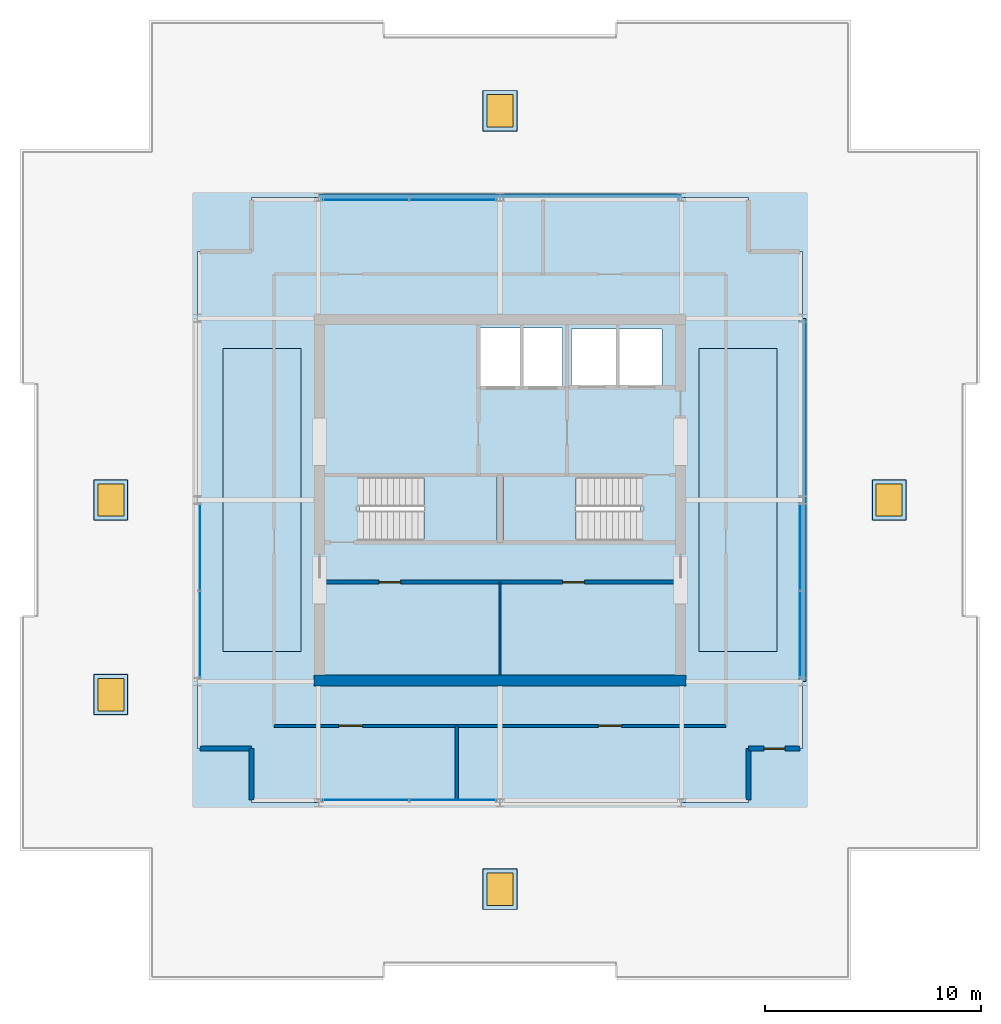
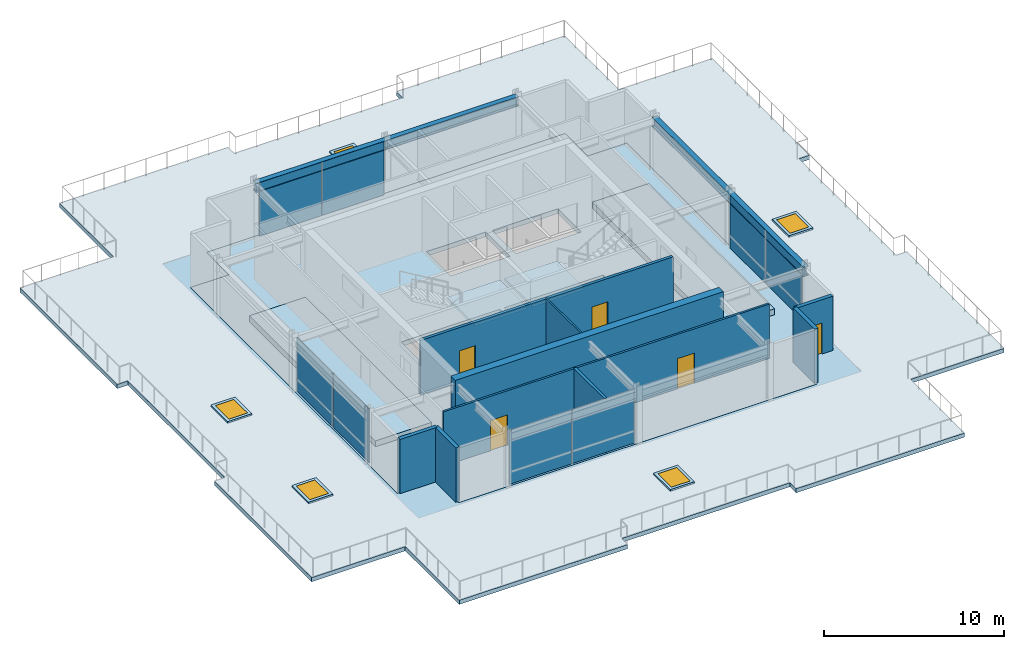
# One storey, part 12 of 17: 11 slabs, 10 doors, 9 walls, 8 plates, 2 beams, 10 openings, 6 elements without a shape of their own.
"""IFC4 building model written with IfcOpenShell, lengths in metres."""

from ifc_helpers import new_model, si_unit, direction, frame, frame_2d, origin, origin_2d, place, context, subcontext, project, spatial, polyline, rectangle, i_section, outline, extrude, material, layer, layer_set, material_profile, profile_set, type_object, element, fill, aggregate, save


model = new_model("IFC4")

# Units and contexts
model_context = context("Model", 3, precision=1e-05, world=origin(), true_north=direction((0.0, 1.0)))
body_context = subcontext(model_context, "Body", "Model", "MODEL_VIEW")
ifc_project = project(units=[si_unit("LENGTHUNIT", "METRE"), si_unit("AREAUNIT", "SQUARE_METRE"), si_unit("VOLUMEUNIT", "CUBIC_METRE"), si_unit("PLANEANGLEUNIT", "RADIAN"), si_unit("MASSUNIT", "GRAM", prefix="KILO")], contexts=[model_context])

# Site, building, storey
site_placement = place(None, origin())
site = spatial("IfcSite", under=ifc_project, at=site_placement, CompositionType="ELEMENT")
building_placement = place(site_placement, origin())
building = spatial("IfcBuilding", under=site, at=building_placement, Name="Drelvath Grand Hotel", CompositionType="ELEMENT")
storey_placement = place(building_placement, frame((0.0, 0.0, 311.39990234375)))
storey = spatial("IfcBuildingStorey", under=building, at=storey_placement, Name="L81", CompositionType="ELEMENT", Elevation=311.39990234375)

# Beams
ifc_material_1 = material(Name="Steel ASTM A992 Gr 50", Category="steel")
ifc_material_profile = material_profile(ifc_material_1, i_section(OverallWidth=0.323974609375, OverallDepth=0.611083984375, WebThickness=0.0126953125, FlangeThickness=0.01904296875, FilletRadius=0.02197265625, at=origin_2d()), Name="W24X104")
ifc_profile_set = profile_set([ifc_material_profile], Name="Steel ASTM A992 Gr 50")
beam_type = type_object("IfcBeamType", Name="Primary Floor Girder W24X104", PredefinedType="BEAM", material=ifc_profile_set)
for number, where, z_axis, x_axis, name in (
    (1, (14.0, 18.60009765625, 3.37451171875), (0.0, 1.0, 0.0), (-1.0, 0.0, 0.0), "L81 Crown Drum Ring Beam East"),
    (2, (-8.39990234375, 41.0, 3.37451171875), (1.0, 0.0, 0.0), (0.0, 1.0, 0.0), "L81 Crown Drum Ring Beam North"),
):
    element("IfcBeam", number, at=place(storey_placement, frame(where, z_axis=z_axis, x_axis=x_axis)), inside=storey, type_object=beam_type, Name=name, PredefinedType="BEAM", context=body_context, shape_type="SweptSolid", body=[
        extrude(i_section(OverallWidth=0.323974609375, OverallDepth=0.611083984375, WebThickness=0.0126953125, FlangeThickness=0.01904296875, FilletRadius=0.02197265625, at=origin_2d()), origin(), (0.0, 0.0, 1.0), 16.7998046875),
    ])

# Slab
ifc_material_2 = material(Name="Concrete f'c 40 MPa", Category="concrete")
ifc_layer_1 = layer(ifc_material_2, 0.320068359375)
ifc_layer_set_1 = layer_set([ifc_layer_1], Name="Concrete f'c 40 MPa")
slab_type_1 = type_object("IfcSlabType", Name="Composite RC Floor Slab 320", PredefinedType="FLOOR", material=ifc_layer_set_1)
slab_1_placement = place(storey_placement, frame((0.0, 0.0, -0.31982421875)))
element("IfcSlab", 3, at=slab_1_placement, inside=storey, type_object=slab_type_1, Name="L81 Structural Floor Slab", PredefinedType="FLOOR", context=body_context, shape_type="SweptSolid", body=[
    extrude(outline(polyline([(-11.5, 13.0), (11.5, 13.0), (11.5, 15.5), (14.0, 15.5), (14.0, 38.5), (11.5, 38.5), (11.5, 41.0), (-11.5, 41.0), (-11.5, 38.5), (-14.0, 38.5), (-14.0, 15.5), (-11.5, 15.5), (-11.5, 13.0)]), holes=[polyline([(-6.47998046875, 25.1201171875), (-6.47998046875, 28.080078125), (-0.14990234375, 28.080078125), (-0.14990234375, 25.1201171875), (-6.47998046875, 25.1201171875)]), polyline([(0.14990234375, 25.1201171875), (0.14990234375, 28.080078125), (6.47998046875, 28.080078125), (6.47998046875, 25.1201171875), (0.14990234375, 25.1201171875)]), polyline([(-0.89990234375, 32.25), (-0.89990234375, 34.949951171875), (2.89990234375, 34.949951171875), (2.89990234375, 32.25), (-0.89990234375, 32.25)]), polyline([(3.300048828125, 32.300048828125), (3.300048828125, 34.89990234375), (7.5, 34.89990234375), (7.5, 32.300048828125), (3.300048828125, 32.300048828125)])]), origin(), (0.0, 0.0, 1.0), 0.31982421875),
])

# Stair, slab
ifc_material_3 = material(Name="Concrete C40/50", Category="concrete")
stair_type = type_object("IfcStairType", Name="Dogleg Exit Stair W1400-R166.7", PredefinedType="HALF_TURN_STAIR", material=ifc_material_3)
stair_1_placement = place(storey_placement, origin())
stair_1 = element("IfcStair", 4, at=stair_1_placement, inside=storey, type_object=stair_type, Name="L81 Core Exit Stair ST-1", PredefinedType="HALF_TURN_STAIR")
ifc_layer_2 = layer(ifc_material_3, 0.199951171875)
ifc_layer_set_2 = layer_set([ifc_layer_2], Name="Concrete C40/50")
slab_type_2 = type_object("IfcSlabType", Name="Concrete Stair Landing Slab 200", PredefinedType="LANDING", material=ifc_layer_set_2)
slab_2_placement = place(storey_placement, frame((0.0, 0.0, 1.800048828125)))
slab_2 = element("IfcSlab", 5, at=slab_2_placement, type_object=slab_type_2, Name="ST-1 landing 1", PredefinedType="LANDING", context=body_context, shape_type="SweptSolid", body=[
    extrude(outline(polyline([(-3.52001953125, 25.1201171875), (-0.14990234375, 25.1201171875), (-0.14990234375, 28.080078125), (-3.52001953125, 28.080078125), (-3.52001953125, 25.1201171875)])), origin(), (0.0, 0.0, 1.0), 0.199951171875),
])
aggregate(stair_1, [slab_2])

stair_2_placement = place(storey_placement, origin())
stair_2 = element("IfcStair", 6, at=stair_2_placement, inside=storey, type_object=stair_type, Name="L81 Core Exit Stair ST-2", PredefinedType="HALF_TURN_STAIR")
slab_3_placement = place(storey_placement, frame((0.0, 0.0, 1.800048828125)))
slab_3 = element("IfcSlab", 7, at=slab_3_placement, type_object=slab_type_2, Name="ST-2 landing 1", PredefinedType="LANDING", context=body_context, shape_type="SweptSolid", body=[
    extrude(outline(polyline([(3.52001953125, 28.080078125), (0.14990234375, 28.080078125), (0.14990234375, 25.1201171875), (3.52001953125, 25.1201171875), (3.52001953125, 28.080078125)])), origin(), (0.0, 0.0, 1.0), 0.199951171875),
])
aggregate(stair_2, [slab_3])

# Slabs
ifc_layer_3 = layer(ifc_material_2, 0.39990234375)
ifc_layer_set_3 = layer_set([ifc_layer_3], Name="Concrete f'c 40 MPa")
slab_type_3 = type_object("IfcSlabType", Name="Crown Mechanical Equipment Plinth 400", PredefinedType="FLOOR", material=ifc_layer_set_3)
slab_4_placement = place(storey_placement, origin())
element("IfcSlab", 8, at=slab_4_placement, inside=storey, type_object=slab_type_3, Name="L81 Crown Chiller and Transmitter Plant Plinth 1", PredefinedType="FLOOR", context=body_context, shape_type="SweptSolid", body=[
    extrude(outline(polyline([(-12.800048828125, 20.0), (-9.199951171875, 20.0), (-9.199951171875, 34.0), (-12.800048828125, 34.0), (-12.800048828125, 20.0)])), origin(), (0.0, 0.0, 1.0), 0.400146484375),
])
slab_5_placement = place(storey_placement, origin())
element("IfcSlab", 9, at=slab_5_placement, inside=storey, type_object=slab_type_3, Name="L81 Crown Chiller and Transmitter Plant Plinth 2", PredefinedType="FLOOR", context=body_context, shape_type="SweptSolid", body=[
    extrude(outline(polyline([(9.199951171875, 20.0), (12.800048828125, 20.0), (12.800048828125, 34.0), (9.199951171875, 34.0), (9.199951171875, 20.0)])), origin(), (0.0, 0.0, 1.0), 0.400146484375),
])

# Curtain wall, plates
ifc_material_4 = material(Name="Pale-Metal Anodised Aluminium Crown Frame", Category="aluminium")
ifc_layer_4 = layer(ifc_material_4, 0.199951171875)
ifc_layer_set_4 = layer_set([ifc_layer_4], Name="Pale-Metal Anodised Aluminium Crown Frame")
curtain_wall_type = type_object("IfcCurtainWallType", Name="Stick Curtain Wall CW-06 Pale-Metal Crown Clerestory", PredefinedType="NOTDEFINED", material=ifc_layer_set_4)
curtain_wall_1_placement = place(storey_placement, origin())
curtain_wall_1 = element("IfcCurtainWall", 10, at=curtain_wall_1_placement, inside=storey, type_object=curtain_wall_type, Name="L81 CW-06 Curtain Wall CW06-L81-W", PredefinedType="NOTDEFINED")
ifc_material_5 = material(Name="Insulated Spandrel Laminated Crown Glass", Category="glass")
ifc_layer_5 = layer(ifc_material_5, 0.035888671875)
ifc_layer_set_5 = layer_set([ifc_layer_5], Name="Insulated Spandrel Laminated Crown Glass")
plate_type = type_object("IfcPlateType", Name="Curtain Wall Vision Panel CW-06 36mm", PredefinedType="CURTAIN_PANEL", material=ifc_layer_set_5)
plate_1_placement = place(storey_placement, frame((-13.8798828125, 20.791015625, 0.02001953125), z_axis=(0.0, 0.0, 1.0), x_axis=(0.0, 1.0, 0.0)))
plate_1 = element("IfcPlate", 11, at=plate_1_placement, type_object=plate_type, Name="CW06-L81-W Glazed Panel 1", PredefinedType="CURTAIN_PANEL", context=body_context, shape_type="SweptSolid", body=[
    extrude(rectangle(XDim=3.977783203125, YDim=0.035888671875, at=origin_2d()), origin(), (0.0, 0.0, 1.0), 3.639892578125),
])
plate_2_placement = place(storey_placement, frame((-13.8798828125, 24.808837890625, 0.02001953125), z_axis=(0.0, 0.0, 1.0), x_axis=(0.0, 1.0, 0.0)))
plate_2 = element("IfcPlate", 12, at=plate_2_placement, type_object=plate_type, Name="CW06-L81-W Glazed Panel 2", PredefinedType="CURTAIN_PANEL", context=body_context, shape_type="SweptSolid", body=[
    extrude(rectangle(XDim=3.977783203125, YDim=0.035888671875, at=origin_2d()), origin(), (0.0, 0.0, 1.0), 3.639892578125),
])
aggregate(curtain_wall_1, [plate_1, plate_2])

curtain_wall_2_placement = place(storey_placement, origin())
curtain_wall_2 = element("IfcCurtainWall", 13, at=curtain_wall_2_placement, inside=storey, type_object=curtain_wall_type, Name="L81 CW-06 Curtain Wall CW06-L81-E", PredefinedType="NOTDEFINED")
plate_3_placement = place(storey_placement, frame((13.8798828125, 24.808837890625, 0.02001953125), z_axis=(0.0, 0.0, 1.0), x_axis=(0.0, -1.0, 0.0)))
plate_3 = element("IfcPlate", 14, at=plate_3_placement, type_object=plate_type, Name="CW06-L81-E Glazed Panel 1", PredefinedType="CURTAIN_PANEL", context=body_context, shape_type="SweptSolid", body=[
    extrude(rectangle(XDim=3.977783203125, YDim=0.035888671875, at=origin_2d()), origin(), (0.0, 0.0, 1.0), 3.639892578125),
])
plate_4_placement = place(storey_placement, frame((13.8798828125, 20.791015625, 0.02001953125), z_axis=(0.0, 0.0, 1.0), x_axis=(0.0, -1.0, 0.0)))
plate_4 = element("IfcPlate", 15, at=plate_4_placement, type_object=plate_type, Name="CW06-L81-E Glazed Panel 2", PredefinedType="CURTAIN_PANEL", context=body_context, shape_type="SweptSolid", body=[
    extrude(rectangle(XDim=3.977783203125, YDim=0.035888671875, at=origin_2d()), origin(), (0.0, 0.0, 1.0), 3.639892578125),
])
aggregate(curtain_wall_2, [plate_3, plate_4])

curtain_wall_3_placement = place(storey_placement, origin())
curtain_wall_3 = element("IfcCurtainWall", 16, at=curtain_wall_3_placement, inside=storey, type_object=curtain_wall_type, Name="L81 CW-06 Curtain Wall CW06-L81-N", PredefinedType="NOTDEFINED")
plate_5_placement = place(storey_placement, frame((-6.20849609375, 40.8798828125, 0.02001953125), z_axis=(0.0, 0.0, 1.0), x_axis=(1.0, 0.0, 0.0)))
plate_5 = element("IfcPlate", 17, at=plate_5_placement, type_object=plate_type, Name="CW06-L81-N Glazed Panel 1", PredefinedType="CURTAIN_PANEL", context=body_context, shape_type="SweptSolid", body=[
    extrude(rectangle(XDim=3.97705078125, YDim=0.035888671875, at=origin_2d()), origin(), (0.0, 0.0, 1.0), 3.639892578125),
])
plate_6_placement = place(storey_placement, frame((-2.19140625, 40.8798828125, 0.02001953125), z_axis=(0.0, 0.0, 1.0), x_axis=(1.0, 0.0, 0.0)))
plate_6 = element("IfcPlate", 18, at=plate_6_placement, type_object=plate_type, Name="CW06-L81-N Glazed Panel 2", PredefinedType="CURTAIN_PANEL", context=body_context, shape_type="SweptSolid", body=[
    extrude(rectangle(XDim=3.97705078125, YDim=0.035888671875, at=origin_2d()), origin(), (0.0, 0.0, 1.0), 3.639892578125),
])
aggregate(curtain_wall_3, [plate_5, plate_6])

curtain_wall_4_placement = place(storey_placement, origin())
curtain_wall_4 = element("IfcCurtainWall", 19, at=curtain_wall_4_placement, inside=storey, type_object=curtain_wall_type, Name="L81 CW-06 Curtain Wall CW06-L81-S", PredefinedType="NOTDEFINED")
plate_7_placement = place(storey_placement, frame((-2.19140625, 13.1201171875, 0.02001953125), z_axis=(0.0, 0.0, 1.0), x_axis=(-1.0, 0.0, 0.0)))
plate_7 = element("IfcPlate", 20, at=plate_7_placement, type_object=plate_type, Name="CW06-L81-S Glazed Panel 1", PredefinedType="CURTAIN_PANEL", context=body_context, shape_type="SweptSolid", body=[
    extrude(rectangle(XDim=3.97705078125, YDim=0.035888671875, at=origin_2d()), origin(), (0.0, 0.0, 1.0), 3.639892578125),
])
plate_8_placement = place(storey_placement, frame((-6.20849609375, 13.1201171875, 0.02001953125), z_axis=(0.0, 0.0, 1.0), x_axis=(-1.0, 0.0, 0.0)))
plate_8 = element("IfcPlate", 21, at=plate_8_placement, type_object=plate_type, Name="CW06-L81-S Glazed Panel 2", PredefinedType="CURTAIN_PANEL", context=body_context, shape_type="SweptSolid", body=[
    extrude(rectangle(XDim=3.97705078125, YDim=0.035888671875, at=origin_2d()), origin(), (0.0, 0.0, 1.0), 3.639892578125),
])
aggregate(curtain_wall_4, [plate_7, plate_8])

# Slab
ifc_layer_6 = layer(ifc_material_2, 0.280029296875)
ifc_layer_set_6 = layer_set([ifc_layer_6], Name="Concrete f'c 40 MPa")
slab_type_4 = type_object("IfcSlabType", Name="Setback Flat Roof Slab 280", PredefinedType="ROOF", material=ifc_layer_set_6)
slab_6_placement = place(storey_placement, frame((0.0, 0.0, -0.27978515625)))
element("IfcSlab", 22, at=slab_6_placement, inside=storey, type_object=slab_type_4, Name="L81 Crown Setback Flat Roof Slab", PredefinedType="ROOF", context=body_context, shape_type="SweptSolid", body=[
    extrude(outline(polyline([(-16.199951171875, 4.800048828125), (-5.39990234375, 4.800048828125), (-5.39990234375, 5.47998046875), (5.39990234375, 5.47998046875), (5.39990234375, 4.800048828125), (16.199951171875, 4.800048828125), (16.199951171875, 10.800048828125), (22.199951171875, 10.800048828125), (22.199951171875, 21.60009765625), (21.52001953125, 21.60009765625), (21.52001953125, 32.39990234375), (22.199951171875, 32.39990234375), (22.199951171875, 43.199951171875), (16.199951171875, 43.199951171875), (16.199951171875, 49.199951171875), (5.39990234375, 49.199951171875), (5.39990234375, 48.52001953125), (-5.39990234375, 48.52001953125), (-5.39990234375, 49.199951171875), (-16.199951171875, 49.199951171875), (-16.199951171875, 43.199951171875), (-22.199951171875, 43.199951171875), (-22.199951171875, 32.39990234375), (-21.52001953125, 32.39990234375), (-21.52001953125, 21.60009765625), (-22.199951171875, 21.60009765625), (-22.199951171875, 10.800048828125), (-16.199951171875, 10.800048828125), (-16.199951171875, 4.800048828125)]), holes=[polyline([(-11.5, 15.5), (-14.0, 15.5), (-14.0, 38.5), (-11.5, 38.5), (-11.5, 41.0), (11.5, 41.0), (11.5, 38.5), (14.0, 38.5), (14.0, 15.5), (11.5, 15.5), (11.5, 13.0), (-11.5, 13.0), (-11.5, 15.5)]), polyline([(-18.60009765625, 26.25), (-18.60009765625, 27.75), (-17.39990234375, 27.75), (-17.39990234375, 26.25), (-18.60009765625, 26.25)]), polyline([(17.39990234375, 26.25), (17.39990234375, 27.75), (18.60009765625, 27.75), (18.60009765625, 26.25), (17.39990234375, 26.25)]), polyline([(-0.60009765625, 8.25), (-0.60009765625, 9.75), (0.60009765625, 9.75), (0.60009765625, 8.25), (-0.60009765625, 8.25)]), polyline([(-0.60009765625, 44.25), (-0.60009765625, 45.75), (0.60009765625, 45.75), (0.60009765625, 44.25), (-0.60009765625, 44.25)]), polyline([(-18.60009765625, 17.25), (-18.60009765625, 18.75), (-17.39990234375, 18.75), (-17.39990234375, 17.25), (-18.60009765625, 17.25)])]), origin(), (0.0, 0.0, 1.0), 0.27978515625),
])

# Slab, opening, door
slab_7_placement = place(storey_placement, origin())
slab_7 = element("IfcSlab", 23, at=slab_7_placement, inside=storey, type_object=slab_type_4, Name="L81 Roof Hatch Curb Slab HATCH-L81-01", PredefinedType="ROOF", context=body_context, shape_type="SweptSolid", body=[
    extrude(outline(polyline([(-18.780029296875, 26.070068359375), (-17.219970703125, 26.070068359375), (-17.219970703125, 27.929931640625), (-18.780029296875, 27.929931640625), (-18.780029296875, 26.070068359375)])), origin(), (0.0, 0.0, 1.0), 0.1201171875),
])
opening_1_placement = place(slab_7_placement, frame((-18.0, 27.0, 0.0)))
opening_1 = element("IfcOpeningElement", 24, at=opening_1_placement, cuts=slab_7, Name="Opening RH-1200", PredefinedType="OPENING", context=body_context, shape_type="SweptSolid", body=[
    extrude(rectangle(XDim=1.199951171875, YDim=1.5, at=origin_2d()), origin(), (0.0, 0.0, 1.0), 0.1201171875),
])
ifc_material_6 = material(Name="Anodised Aluminium Insulated Roof Hatch", Category="aluminium")
door_type_1 = type_object("IfcDoorType", Name="Insulated Roof Maintenance Access Hatch 1200x1500", OperationType="SINGLE_SWING_LEFT", PredefinedType="TRAPDOOR", material=ifc_material_6)
door_1_placement = place(opening_1_placement, frame((0.0, 0.0, 0.070068359375)))
door_1 = element("IfcDoor", 25, at=door_1_placement, inside=storey, type_object=door_type_1, Name="L81 Crown Setback Roof Maintenance Hatch HATCH-L81-01", OperationType="SINGLE_SWING_LEFT", OverallHeight=1.5, OverallWidth=1.199951171875, PredefinedType="TRAPDOOR", context=body_context, shape_type="SweptSolid", body=[
    extrude(rectangle(XDim=1.199951171875, YDim=1.5, at=origin_2d()), origin(), (0.0, 0.0, 1.0), 0.050048828125),
])
fill(opening_1, door_1)

slab_8_placement = place(storey_placement, origin())
slab_8 = element("IfcSlab", 26, at=slab_8_placement, inside=storey, type_object=slab_type_4, Name="L81 Roof Hatch Curb Slab HATCH-L81-02", PredefinedType="ROOF", context=body_context, shape_type="SweptSolid", body=[
    extrude(outline(polyline([(17.219970703125, 26.070068359375), (18.780029296875, 26.070068359375), (18.780029296875, 27.929931640625), (17.219970703125, 27.929931640625), (17.219970703125, 26.070068359375)])), origin(), (0.0, 0.0, 1.0), 0.1201171875),
])
opening_2_placement = place(slab_8_placement, frame((18.0, 27.0, 0.0)))
opening_2 = element("IfcOpeningElement", 27, at=opening_2_placement, cuts=slab_8, Name="Opening RH-1200", PredefinedType="OPENING", context=body_context, shape_type="SweptSolid", body=[
    extrude(rectangle(XDim=1.199951171875, YDim=1.5, at=origin_2d()), origin(), (0.0, 0.0, 1.0), 0.1201171875),
])
door_2_placement = place(opening_2_placement, frame((0.0, 0.0, 0.070068359375)))
door_2 = element("IfcDoor", 28, at=door_2_placement, inside=storey, type_object=door_type_1, Name="L81 Crown Setback Roof Maintenance Hatch HATCH-L81-02", OperationType="SINGLE_SWING_LEFT", OverallHeight=1.5, OverallWidth=1.199951171875, PredefinedType="TRAPDOOR", context=body_context, shape_type="SweptSolid", body=[
    extrude(rectangle(XDim=1.199951171875, YDim=1.5, at=origin_2d()), origin(), (0.0, 0.0, 1.0), 0.050048828125),
])
fill(opening_2, door_2)

slab_9_placement = place(storey_placement, origin())
slab_9 = element("IfcSlab", 29, at=slab_9_placement, inside=storey, type_object=slab_type_4, Name="L81 Roof Hatch Curb Slab HATCH-L81-03", PredefinedType="ROOF", context=body_context, shape_type="SweptSolid", body=[
    extrude(outline(polyline([(-0.780029296875, 8.070068359375), (0.780029296875, 8.070068359375), (0.780029296875, 9.929931640625), (-0.780029296875, 9.929931640625), (-0.780029296875, 8.070068359375)])), origin(), (0.0, 0.0, 1.0), 0.1201171875),
])
opening_3_placement = place(slab_9_placement, frame((0.0, 9.0, 0.0)))
opening_3 = element("IfcOpeningElement", 30, at=opening_3_placement, cuts=slab_9, Name="Opening RH-1200", PredefinedType="OPENING", context=body_context, shape_type="SweptSolid", body=[
    extrude(rectangle(XDim=1.199951171875, YDim=1.5, at=origin_2d()), origin(), (0.0, 0.0, 1.0), 0.1201171875),
])
door_3_placement = place(opening_3_placement, frame((0.0, 0.0, 0.070068359375)))
door_3 = element("IfcDoor", 31, at=door_3_placement, inside=storey, type_object=door_type_1, Name="L81 Crown Setback Roof Maintenance Hatch HATCH-L81-03", OperationType="SINGLE_SWING_LEFT", OverallHeight=1.5, OverallWidth=1.199951171875, PredefinedType="TRAPDOOR", context=body_context, shape_type="SweptSolid", body=[
    extrude(rectangle(XDim=1.199951171875, YDim=1.5, at=origin_2d()), origin(), (0.0, 0.0, 1.0), 0.050048828125),
])
fill(opening_3, door_3)

slab_10_placement = place(storey_placement, origin())
slab_10 = element("IfcSlab", 32, at=slab_10_placement, inside=storey, type_object=slab_type_4, Name="L81 Roof Hatch Curb Slab HATCH-L81-04", PredefinedType="ROOF", context=body_context, shape_type="SweptSolid", body=[
    extrude(outline(polyline([(-0.780029296875, 44.070068359375), (0.780029296875, 44.070068359375), (0.780029296875, 45.929931640625), (-0.780029296875, 45.929931640625), (-0.780029296875, 44.070068359375)])), origin(), (0.0, 0.0, 1.0), 0.1201171875),
])
opening_4_placement = place(slab_10_placement, frame((0.0, 45.0, 0.0)))
opening_4 = element("IfcOpeningElement", 33, at=opening_4_placement, cuts=slab_10, Name="Opening RH-1200", PredefinedType="OPENING", context=body_context, shape_type="SweptSolid", body=[
    extrude(rectangle(XDim=1.199951171875, YDim=1.5, at=origin_2d()), origin(), (0.0, 0.0, 1.0), 0.1201171875),
])
door_4_placement = place(opening_4_placement, frame((0.0, 0.0, 0.070068359375)))
door_4 = element("IfcDoor", 34, at=door_4_placement, inside=storey, type_object=door_type_1, Name="L81 Crown Setback Roof Maintenance Hatch HATCH-L81-04", OperationType="SINGLE_SWING_LEFT", OverallHeight=1.5, OverallWidth=1.199951171875, PredefinedType="TRAPDOOR", context=body_context, shape_type="SweptSolid", body=[
    extrude(rectangle(XDim=1.199951171875, YDim=1.5, at=origin_2d()), origin(), (0.0, 0.0, 1.0), 0.050048828125),
])
fill(opening_4, door_4)

slab_11_placement = place(storey_placement, origin())
slab_11 = element("IfcSlab", 35, at=slab_11_placement, inside=storey, type_object=slab_type_4, Name="L81 Roof Hatch Curb Slab HATCH-L81-05", PredefinedType="ROOF", context=body_context, shape_type="SweptSolid", body=[
    extrude(outline(polyline([(-18.780029296875, 17.070068359375), (-17.219970703125, 17.070068359375), (-17.219970703125, 18.929931640625), (-18.780029296875, 18.929931640625), (-18.780029296875, 17.070068359375)])), origin(), (0.0, 0.0, 1.0), 0.1201171875),
])
opening_5_placement = place(slab_11_placement, frame((-18.0, 18.0, 0.0)))
opening_5 = element("IfcOpeningElement", 36, at=opening_5_placement, cuts=slab_11, Name="Opening RH-1200", PredefinedType="OPENING", context=body_context, shape_type="SweptSolid", body=[
    extrude(rectangle(XDim=1.199951171875, YDim=1.5, at=origin_2d()), origin(), (0.0, 0.0, 1.0), 0.1201171875),
])
door_5_placement = place(opening_5_placement, frame((0.0, 0.0, 0.070068359375)))
door_5 = element("IfcDoor", 37, at=door_5_placement, inside=storey, type_object=door_type_1, Name="L81 Crown Setback Roof Maintenance Hatch HATCH-L81-05", OperationType="SINGLE_SWING_LEFT", OverallHeight=1.5, OverallWidth=1.199951171875, PredefinedType="TRAPDOOR", context=body_context, shape_type="SweptSolid", body=[
    extrude(rectangle(XDim=1.199951171875, YDim=1.5, at=origin_2d()), origin(), (0.0, 0.0, 1.0), 0.050048828125),
])
fill(opening_5, door_5)

# Wall
ifc_material_7 = material(Name="Gypsum Partition Board")
ifc_layer_7 = layer(ifc_material_7, 0.10009765625)
ifc_layer_set_7 = layer_set([ifc_layer_7], Name="Gypsum Partition Board")
wall_type_1 = type_object("IfcWallType", Name="Core Closet Partition 100", PredefinedType="PARTITIONING", material=ifc_layer_set_7)
wall_1_placement = place(storey_placement, frame((0.0, 18.89990234375, 0.0), z_axis=(0.0, 0.0, 1.0), x_axis=(0.0, 1.0, 0.0)))
element("IfcWall", 38, at=wall_1_placement, inside=storey, type_object=wall_type_1, Name="L81 Crown Core Split", PredefinedType="PARTITIONING", context=body_context, shape_type="SweptSolid", body=[
    extrude(rectangle(XDim=4.300048828125, YDim=0.10009765625, at=frame_2d((2.14990234375, 0.0))), origin(), (0.0, 0.0, 1.0), 3.68017578125),
])

# Wall, openings, doors
ifc_material_8 = material(Name="Gypsum Fireboard Partition")
ifc_layer_8 = layer(ifc_material_8, 0.135009765625)
ifc_layer_set_8 = layer_set([ifc_layer_8], Name="Gypsum Fireboard Partition")
wall_type_2 = type_object("IfcWallType", Name="Corridor Fire Barrier Wall 135", PredefinedType="PARTITIONING", material=ifc_layer_set_8)
wall_2_placement = place(storey_placement, frame((-10.449951171875, 16.550048828125, 0.0), z_axis=(0.0, 0.0, 1.0), x_axis=(1.0, 0.0, 0.0)))
wall_2 = element("IfcWall", 39, at=wall_2_placement, inside=storey, type_object=wall_type_2, Name="L81 Crown South Corridor Wall", PredefinedType="PARTITIONING", context=body_context, shape_type="SweptSolid", body=[
    extrude(rectangle(XDim=20.89990234375, YDim=0.135009765625, at=frame_2d((10.449951171875, 0.0))), origin(), (0.0, 0.0, 1.0), 3.68017578125),
])
opening_6_placement = place(wall_2_placement, frame((3.0, 0.0, 0.0)))
opening_6 = element("IfcOpeningElement", 40, at=opening_6_placement, cuts=wall_2, Name="Opening D-L81-014", PredefinedType="OPENING", context=body_context, shape_type="SweptSolid", body=[
    extrude(rectangle(XDim=1.080078125, YDim=2.0400390625, at=frame_2d((0.5400390625, 1.02001953125))), frame((0.0, 0.077392578125, 0.0), z_axis=(0.0, -1.0, 0.0), x_axis=(1.0, 0.0, 0.0)), (0.0, 0.0, 1.0), 0.155029296875),
])
opening_7_placement = place(wall_2_placement, frame((15.0, 0.0, 0.0)))
opening_7 = element("IfcOpeningElement", 41, at=opening_7_placement, cuts=wall_2, Name="Opening D-L81-015", PredefinedType="OPENING", context=body_context, shape_type="SweptSolid", body=[
    extrude(rectangle(XDim=1.080078125, YDim=2.0400390625, at=frame_2d((0.5400390625, 1.02001953125))), frame((0.0, 0.077392578125, 0.0), z_axis=(0.0, -1.0, 0.0), x_axis=(1.0, 0.0, 0.0)), (0.0, 0.0, 1.0), 0.155029296875),
])
ifc_material_9 = material(Name="Painted Steel S275", Category="steel")
door_type_2 = type_object("IfcDoorType", Name="Core Corridor Fire Door 1080x2100", OperationType="NOTDEFINED", PredefinedType="DOOR", material=ifc_material_9)
door_6_placement = place(opening_6_placement, origin())
door_6 = element("IfcDoor", 42, at=door_6_placement, inside=storey, type_object=door_type_2, Name="L81 Cooling Plant Door", OperationType="SINGLE_SWING_RIGHT", OverallHeight=2.0400390625, OverallWidth=1.080078125, PredefinedType="DOOR", context=body_context, shape_type="SweptSolid", body=[
    extrude(rectangle(XDim=1.080078125, YDim=2.0400390625, at=frame_2d((0.5400390625, 1.02001953125))), frame((0.0, 0.02490234375, 0.0), z_axis=(0.0, -1.0, 0.0), x_axis=(1.0, 0.0, 0.0)), (0.0, 0.0, 1.0), 0.050048828125),
])
fill(opening_6, door_6)
door_7_placement = place(opening_7_placement, origin())
door_7 = element("IfcDoor", 43, at=door_7_placement, inside=storey, type_object=door_type_2, Name="L81 Fire Pump Plant Door", OperationType="SINGLE_SWING_LEFT", OverallHeight=2.0400390625, OverallWidth=1.080078125, PredefinedType="DOOR", context=body_context, shape_type="SweptSolid", body=[
    extrude(rectangle(XDim=1.080078125, YDim=2.0400390625, at=frame_2d((0.5400390625, 1.02001953125))), frame((0.0, 0.02490234375, 0.0), z_axis=(0.0, -1.0, 0.0), x_axis=(1.0, 0.0, 0.0)), (0.0, 0.0, 1.0), 0.050048828125),
])
fill(opening_7, door_7)

ifc_layer_9 = layer(ifc_material_8, 0.179931640625)
ifc_layer_set_9 = layer_set([ifc_layer_9], Name="Gypsum Fireboard Partition")
wall_type_3 = type_object("IfcWallType", Name="FSAE Smoke Lobby Fire Wall 180", PredefinedType="SOLIDWALL", material=ifc_layer_set_9)
wall_3_placement = place(storey_placement, frame((-8.10009765625, 23.199951171875, 0.0), z_axis=(0.0, 0.0, 1.0), x_axis=(1.0, 0.0, 0.0)))
wall_3 = element("IfcWall", 44, at=wall_3_placement, inside=storey, type_object=wall_type_3, Name="L81 Upper Reclaimed Core Wall", PredefinedType="SOLIDWALL", context=body_context, shape_type="SweptSolid", body=[
    extrude(rectangle(XDim=16.2001953125, YDim=0.179931640625, at=frame_2d((8.10009765625, 0.0))), origin(), (0.0, 0.0, 1.0), 3.68017578125),
])
opening_8_placement = place(wall_3_placement, frame((2.5, 0.0, 0.0)))
opening_8 = element("IfcOpeningElement", 45, at=opening_8_placement, cuts=wall_3, Name="Opening D-L81-012", PredefinedType="OPENING", context=body_context, shape_type="SweptSolid", body=[
    extrude(rectangle(XDim=1.0, YDim=2.10009765625, at=frame_2d((0.5, 1.050048828125))), frame((0.0, 0.099853515625, 0.0), z_axis=(0.0, -1.0, 0.0), x_axis=(1.0, 0.0, 0.0)), (0.0, 0.0, 1.0), 0.199951171875),
])
opening_9_placement = place(wall_3_placement, frame((11.0, 0.0, 0.0)))
opening_9 = element("IfcOpeningElement", 46, at=opening_9_placement, cuts=wall_3, Name="Opening D-L81-013", PredefinedType="OPENING", context=body_context, shape_type="SweptSolid", body=[
    extrude(rectangle(XDim=1.0, YDim=2.10009765625, at=frame_2d((0.5, 1.050048828125))), frame((0.0, 0.099853515625, 0.0), z_axis=(0.0, -1.0, 0.0), x_axis=(1.0, 0.0, 0.0)), (0.0, 0.0, 1.0), 0.199951171875),
])
door_type_3 = type_object("IfcDoorType", Name="Core Service Fire Door 1000x2100", OperationType="NOTDEFINED", PredefinedType="DOOR", material=ifc_material_9)
door_8_placement = place(opening_8_placement, origin())
door_8 = element("IfcDoor", 47, at=door_8_placement, inside=storey, type_object=door_type_3, Name="L81 Switchroom Door", OperationType="SINGLE_SWING_RIGHT", OverallHeight=2.10009765625, OverallWidth=1.0, PredefinedType="DOOR", context=body_context, shape_type="SweptSolid", body=[
    extrude(rectangle(XDim=1.0, YDim=2.10009765625, at=frame_2d((0.5, 1.050048828125))), frame((0.0, 0.02490234375, 0.0), z_axis=(0.0, -1.0, 0.0), x_axis=(1.0, 0.0, 0.0)), (0.0, 0.0, 1.0), 0.050048828125),
])
fill(opening_8, door_8)
door_9_placement = place(opening_9_placement, origin())
door_9 = element("IfcDoor", 48, at=door_9_placement, inside=storey, type_object=door_type_3, Name="L81 UPS Room Door", OperationType="SINGLE_SWING_LEFT", OverallHeight=2.10009765625, OverallWidth=1.0, PredefinedType="DOOR", context=body_context, shape_type="SweptSolid", body=[
    extrude(rectangle(XDim=1.0, YDim=2.10009765625, at=frame_2d((0.5, 1.050048828125))), frame((0.0, 0.02490234375, 0.0), z_axis=(0.0, -1.0, 0.0), x_axis=(1.0, 0.0, 0.0)), (0.0, 0.0, 1.0), 0.050048828125),
])
fill(opening_9, door_9)

# Walls
wall_4_placement = place(storey_placement, frame((-2.0, 13.1201171875, 0.0), z_axis=(0.0, 0.0, 1.0), x_axis=(0.0, 1.0, 0.0)))
element("IfcWall", 49, at=wall_4_placement, inside=storey, type_object=wall_type_3, Name="L81 Crown South Split", PredefinedType="SOLIDWALL", context=body_context, shape_type="SweptSolid", body=[
    extrude(rectangle(XDim=3.429931640625, YDim=0.179931640625, at=frame_2d((1.71484375, 0.0))), origin(), (0.0, 0.0, 1.0), 3.68017578125),
])
ifc_material_10 = material(Name="Pale-Metal Insulated Aluminium Spandrel Assembly", Category="aluminium")
ifc_layer_10 = layer(ifc_material_10, 0.239990234375)
ifc_layer_set_10 = layer_set([ifc_layer_10], Name="Pale-Metal Insulated Aluminium Spandrel Assembly")
wall_type_4 = type_object("IfcWallType", Name="Tower Insulated Metal Spandrel Closure Wall 240", PredefinedType="STANDARD", material=ifc_layer_set_10)
for number, where, z_axis, x_axis, name in (
    (50, (-11.5, 13.1201171875, 0.0), (0.0, 0.0, 1.0), (0.0, 1.0, 0.0), "L81 Crown Drum Corner Wall CSW1"),
    (51, (-11.5, 15.5, 0.0), (0.0, 0.0, 1.0), (-1.0, 0.0, 0.0), "L81 Crown Drum Corner Wall CSW2"),
):
    element("IfcWall", number, at=place(storey_placement, frame(where, z_axis=z_axis, x_axis=x_axis)), inside=storey, type_object=wall_type_4, Name=name, PredefinedType="STANDARD", context=body_context, shape_type="SweptSolid", body=[
        extrude(rectangle(XDim=2.3798828125, YDim=0.239990234375, at=frame_2d((1.18994140625, 0.0))), origin(), (0.0, 0.0, 1.0), 3.68017578125),
    ])

# Wall, opening, door
wall_5_placement = place(storey_placement, frame((13.8798828125, 15.5, 0.0), z_axis=(0.0, 0.0, 1.0), x_axis=(-1.0, 0.0, 0.0)))
wall_5 = element("IfcWall", 52, at=wall_5_placement, inside=storey, type_object=wall_type_4, Name="L81 Crown Drum Corner Wall CSE1", PredefinedType="STANDARD", context=body_context, shape_type="SweptSolid", body=[
    extrude(rectangle(XDim=2.3798828125, YDim=0.239990234375, at=frame_2d((1.18994140625, 0.0))), origin(), (0.0, 0.0, 1.0), 3.68017578125),
])
opening_10_placement = place(wall_5_placement, frame((0.699951171875, 0.0, 0.0)))
opening_10 = element("IfcOpeningElement", 53, at=opening_10_placement, cuts=wall_5, Name="Opening RM-L81", PredefinedType="OPENING", context=body_context, shape_type="SweptSolid", body=[
    extrude(rectangle(XDim=0.97998046875, YDim=2.10009765625, at=frame_2d((0.489990234375, 1.050048828125))), frame((0.0, 0.1298828125, 0.0), z_axis=(0.0, -1.0, 0.0), x_axis=(1.0, 0.0, 0.0)), (0.0, 0.0, 1.0), 0.260009765625),
])
door_type_4 = type_object("IfcDoorType", Name="Roof Maintenance Weatherproof Fire Door 980x2100", OperationType="NOTDEFINED", PredefinedType="DOOR", material=ifc_material_9)
door_10_placement = place(opening_10_placement, origin())
door_10 = element("IfcDoor", 54, at=door_10_placement, inside=storey, type_object=door_type_4, Name="L81 Crown Setback Roof Maintenance Access Door", OperationType="SINGLE_SWING_LEFT", OverallHeight=2.10009765625, OverallWidth=0.97998046875, PredefinedType="DOOR", context=body_context, shape_type="SweptSolid", body=[
    extrude(rectangle(XDim=0.97998046875, YDim=2.10009765625, at=frame_2d((0.489990234375, 1.050048828125))), frame((0.0, 0.02490234375, 0.0), z_axis=(0.0, -1.0, 0.0), x_axis=(1.0, 0.0, 0.0)), (0.0, 0.0, 1.0), 0.050048828125),
])
fill(opening_10, door_10)

# Walls
wall_6_placement = place(storey_placement, frame((11.5, 15.5, 0.0), z_axis=(0.0, 0.0, 1.0), x_axis=(0.0, -1.0, 0.0)))
element("IfcWall", 55, at=wall_6_placement, inside=storey, type_object=wall_type_4, Name="L81 Crown Drum Corner Wall CSE2", PredefinedType="STANDARD", context=body_context, shape_type="SweptSolid", body=[
    extrude(rectangle(XDim=2.3798828125, YDim=0.239990234375, at=frame_2d((1.18994140625, 0.0))), origin(), (0.0, 0.0, 1.0), 3.68017578125),
])
ifc_material_11 = material(Name="Concrete f'c 55 MPa", Category="concrete")
ifc_layer_11 = layer(ifc_material_11, 0.5)
ifc_layer_set_11 = layer_set([ifc_layer_11], Name="Concrete f'c 55 MPa")
wall_type_5 = type_object("IfcWallType", Name="Upper Core RC Shear Wall 500", PredefinedType="SHEAR", material=ifc_layer_set_11)
wall_7_placement = place(storey_placement, frame((8.60009765625, 18.64990234375, 0.0), z_axis=(0.0, 0.0, 1.0), x_axis=(-1.0, 0.0, 0.0)))
element("IfcWall", 56, at=wall_7_placement, inside=storey, type_object=wall_type_5, Name="L81 Central Core Shear Wall S", PredefinedType="SHEAR", context=body_context, shape_type="SweptSolid", body=[
    extrude(rectangle(XDim=17.2001953125, YDim=0.5, at=frame_2d((8.60009765625, 0.0))), origin(), (0.0, 0.0, 1.0), 4.0),
])

save(model, "model.ifc")
